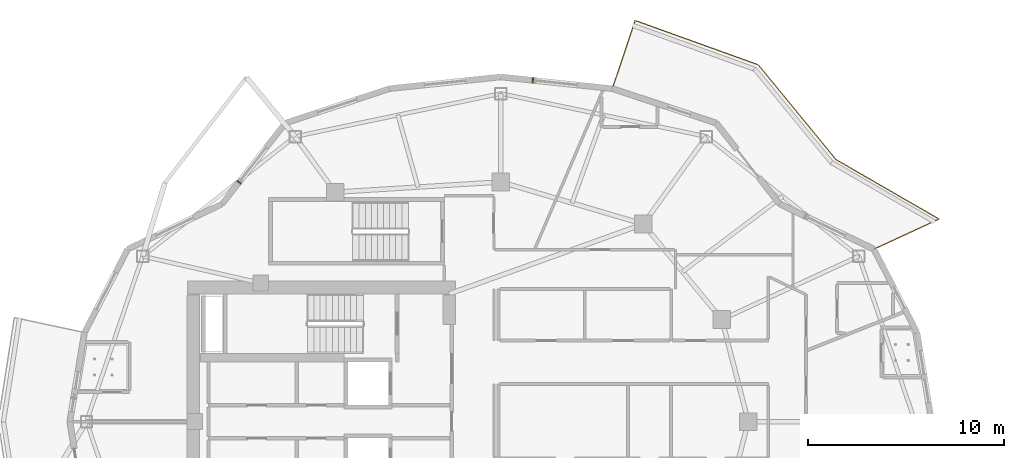
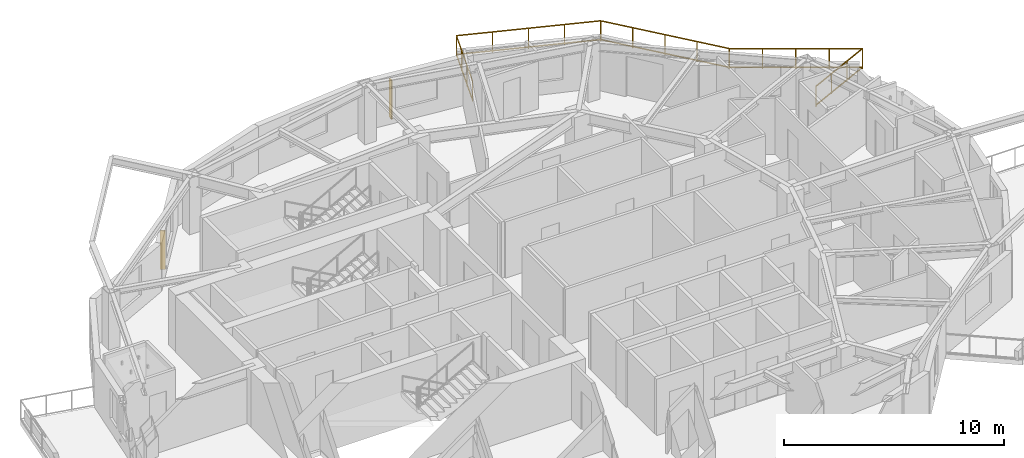
# One storey, part 13 of 13: 2 shading devices, 1 railing.
"""IFC4 building model written with IfcOpenShell, lengths in metres."""

from ifc_helpers import new_model, si_unit, direction, frame, origin, origin_2d, place, context, subcontext, project, spatial, rectangle, extrude, material, type_object, element, save


model = new_model("IFC4")

# Units and contexts
model_context = context("Model", 3, precision=1e-05, world=origin(), true_north=direction((0.0, 1.0)))
body_context = subcontext(model_context, "Body", "Model", "MODEL_VIEW")
ifc_project = project(units=[si_unit("LENGTHUNIT", "METRE"), si_unit("AREAUNIT", "SQUARE_METRE"), si_unit("VOLUMEUNIT", "CUBIC_METRE"), si_unit("PLANEANGLEUNIT", "RADIAN"), si_unit("MASSUNIT", "GRAM", prefix="KILO")], contexts=[model_context])

# Site, building, storey
site_placement = place(None, origin())
site = spatial("IfcSite", under=ifc_project, at=site_placement, CompositionType="ELEMENT")
building_placement = place(site_placement, origin())
building = spatial("IfcBuilding", under=site, at=building_placement, Name="Kolvaren Gate Tower and Convention Centre", CompositionType="ELEMENT")
storey_placement = place(building_placement, frame((0.0, 0.0, 166.5)))
storey = spatial("IfcBuildingStorey", under=building, at=storey_placement, Name="L43", CompositionType="ELEMENT", Elevation=166.5)

# Railing
ifc_material_1 = material(Name="Brushed Stainless Steel Grade 316L", Category="steel")
railing_type = type_object("IfcRailingType", Name="ARCH-RL-GUARD-1150", PredefinedType="GUARDRAIL", material=ifc_material_1)
railing_placement = place(storey_placement, frame((49.123291015625, 35.77490234375, 0.0)))
element("IfcRailing", 1, at=railing_placement, inside=storey, type_object=railing_type, Name="Tower L43 Terrace Perimeter Guardrail GR-1", PredefinedType="GUARDRAIL", context=body_context, shape_type="SweptSolid", body=[
    extrude(rectangle(XDim=0.048095703125, YDim=0.048095703125, at=origin_2d()), frame((0.025390625, 0.01171875, 1.1259765625), z_axis=(0.907820723829, 0.419358478377, 0.0), x_axis=(-0.419358478377, 0.907820723829, 0.0)), (0.0, 0.0, 1.0), 3.60400390625),
    extrude(rectangle(XDim=0.048095703125, YDim=0.048095703125, at=origin_2d()), frame((0.025390625, 0.01171875, 0.083984375), z_axis=(0.907820723829, 0.419358478377, 0.0), x_axis=(-0.419358478377, 0.907820723829, 0.0)), (0.0, 0.0, 1.0), 3.60400390625),
    extrude(rectangle(XDim=0.048095703125, YDim=0.048095703125, at=origin_2d()), frame((3.298583984375, 1.548828125, 1.1259765625), z_axis=(-0.866075571306, 0.499913097234, 0.0), x_axis=(-0.499913097234, -0.866075571306, 0.0)), (0.0, 0.0, 1.0), 6.004150390625),
    extrude(rectangle(XDim=0.048095703125, YDim=0.048095703125, at=origin_2d()), frame((3.298583984375, 1.548828125, 0.083984375), z_axis=(-0.866075571306, 0.499913097234, 0.0), x_axis=(-0.499913097234, -0.866075571306, 0.0)), (0.0, 0.0, 1.0), 6.004150390625),
    extrude(rectangle(XDim=0.048095703125, YDim=0.048095703125, at=origin_2d()), frame((-1.943603515625, 4.586181640625, 1.1259765625), z_axis=(-0.634429234628, 0.77298094818, 0.0), x_axis=(-0.77298094818, -0.634429234628, 0.0)), (0.0, 0.0, 1.0), 6.188720703125),
    extrude(rectangle(XDim=0.048095703125, YDim=0.048095703125, at=origin_2d()), frame((-1.943603515625, 4.586181640625, 0.083984375), z_axis=(-0.634429234628, 0.77298094818, 0.0), x_axis=(-0.77298094818, -0.634429234628, 0.0)), (0.0, 0.0, 1.0), 6.188720703125),
    extrude(rectangle(XDim=0.048095703125, YDim=0.048095703125, at=origin_2d()), frame((-5.9140625, 9.401123046875, 1.1259765625), z_axis=(-0.940948576924, 0.338549517184, 0.0), x_axis=(-0.338549517184, -0.940948576924, 0.0)), (0.0, 0.0, 1.0), 6.60791015625),
    extrude(rectangle(XDim=0.048095703125, YDim=0.048095703125, at=origin_2d()), frame((-5.9140625, 9.401123046875, 0.083984375), z_axis=(-0.940948576924, 0.338549517184, 0.0), x_axis=(-0.338549517184, -0.940948576924, 0.0)), (0.0, 0.0, 1.0), 6.60791015625),
    extrude(rectangle(XDim=0.048095703125, YDim=0.048095703125, at=origin_2d()), frame((-12.1669921875, 11.62109375, 1.1259765625), z_axis=(-0.317568160167, -0.94823544737, 0.0), x_axis=(0.94823544737, -0.317568160167, 0.0)), (0.0, 0.0, 1.0), 3.60400390625),
    extrude(rectangle(XDim=0.048095703125, YDim=0.048095703125, at=origin_2d()), frame((-12.1669921875, 11.62109375, 0.083984375), z_axis=(-0.317568160167, -0.94823544737, 0.0), x_axis=(0.94823544737, -0.317568160167, 0.0)), (0.0, 0.0, 1.0), 3.60400390625),
    extrude(rectangle(XDim=0.0419921875, YDim=0.0419921875, at=origin_2d()), origin(), (0.0, 0.0, 1.0), 1.14990234375),
    extrude(rectangle(XDim=0.0419921875, YDim=0.0419921875, at=origin_2d()), frame((3.32275390625, 1.534912109375, 0.0)), (0.0, 0.0, 1.0), 1.14990234375),
    extrude(rectangle(XDim=0.0419921875, YDim=0.0419921875, at=origin_2d()), frame((1.107666015625, 0.51171875, 0.0)), (0.0, 0.0, 1.0), 1.099853515625),
    extrude(rectangle(XDim=0.0419921875, YDim=0.0419921875, at=origin_2d()), frame((2.215087890625, 1.023193359375, 0.0)), (0.0, 0.0, 1.0), 1.099853515625),
    extrude(rectangle(XDim=0.0419921875, YDim=0.0419921875, at=origin_2d()), frame((-1.92578125, 4.564453125, 0.0)), (0.0, 0.0, 1.0), 1.14990234375),
    extrude(rectangle(XDim=0.0419921875, YDim=0.0419921875, at=origin_2d()), frame((2.0107421875, 2.292236328125, 0.0)), (0.0, 0.0, 1.0), 1.099853515625),
    extrude(rectangle(XDim=0.0419921875, YDim=0.0419921875, at=origin_2d()), frame((0.698486328125, 3.0498046875, 0.0)), (0.0, 0.0, 1.0), 1.099853515625),
    extrude(rectangle(XDim=0.0419921875, YDim=0.0419921875, at=origin_2d()), frame((-0.61376953125, 3.80712890625, 0.0)), (0.0, 0.0, 1.0), 1.099853515625),
    extrude(rectangle(XDim=0.0419921875, YDim=0.0419921875, at=origin_2d()), frame((-5.8876953125, 9.3916015625, 0.0)), (0.0, 0.0, 1.0), 1.14990234375),
    extrude(rectangle(XDim=0.0419921875, YDim=0.0419921875, at=origin_2d()), frame((-2.916259765625, 5.771240234375, 0.0)), (0.0, 0.0, 1.0), 1.099853515625),
    extrude(rectangle(XDim=0.0419921875, YDim=0.0419921875, at=origin_2d()), frame((-3.90673828125, 6.97802734375, 0.0)), (0.0, 0.0, 1.0), 1.099853515625),
    extrude(rectangle(XDim=0.0419921875, YDim=0.0419921875, at=origin_2d()), frame((-4.897216796875, 8.184814453125, 0.0)), (0.0, 0.0, 1.0), 1.099853515625),
    extrude(rectangle(XDim=0.0419921875, YDim=0.0419921875, at=origin_2d()), frame((-12.158203125, 11.647705078125, 0.0)), (0.0, 0.0, 1.0), 1.14990234375),
    extrude(rectangle(XDim=0.0419921875, YDim=0.0419921875, at=origin_2d()), frame((-7.455322265625, 9.95556640625, 0.0)), (0.0, 0.0, 1.0), 1.099853515625),
    extrude(rectangle(XDim=0.0419921875, YDim=0.0419921875, at=origin_2d()), frame((-9.02294921875, 10.51953125, 0.0)), (0.0, 0.0, 1.0), 1.099853515625),
    extrude(rectangle(XDim=0.0419921875, YDim=0.0419921875, at=origin_2d()), frame((-10.590576171875, 11.083740234375, 0.0)), (0.0, 0.0, 1.0), 1.099853515625),
    extrude(rectangle(XDim=0.0419921875, YDim=0.0419921875, at=origin_2d()), frame((-13.320556640625, 8.177001953125, 0.0)), (0.0, 0.0, 1.0), 1.14990234375),
    extrude(rectangle(XDim=0.0419921875, YDim=0.0419921875, at=origin_2d()), frame((-12.545654296875, 10.49072265625, 0.0)), (0.0, 0.0, 1.0), 1.099853515625),
    extrude(rectangle(XDim=0.0419921875, YDim=0.0419921875, at=origin_2d()), frame((-12.93310546875, 9.333984375, 0.0)), (0.0, 0.0, 1.0), 1.099853515625),
])

# Shading devices
ifc_material_2 = material(Name="Kiln-Fired Bogota Terracotta Ceramic Louvre Profile", Category="masonry")
shading_device_type = type_object("IfcShadingDeviceType", Name="ARCH-SHD-FIN-180", PredefinedType="JALOUSIE", material=ifc_material_2)
for number, where, z_axis, x_axis, name in (
    (2, (31.760986328125, 44.377685546875, 0.219970703125), (0.0, 0.0, 1.0), (0.994499249941, -0.104743696069, 0.0), "Ceramic Vertical Brise-Soleil Fin FN-L43-05"),
    (3, (16.80078125, 39.18994140625, 0.219970703125), (0.0, 0.0, 1.0), (0.616446487588, 0.787396804629, 0.0), "Ceramic Vertical Brise-Soleil Fin FN-L43-08"),
):
    element("IfcShadingDevice", number, at=place(storey_placement, frame(where, z_axis=z_axis, x_axis=x_axis)), inside=storey, type_object=shading_device_type, Name=name, PredefinedType="JALOUSIE", context=body_context, shape_type="SweptSolid", body=[
        extrude(rectangle(XDim=0.06005859375, YDim=0.239990234375, at=origin_2d()), origin(), (0.0, 0.0, 1.0), 2.14990234375),
    ])

save(model, "model.ifc")
